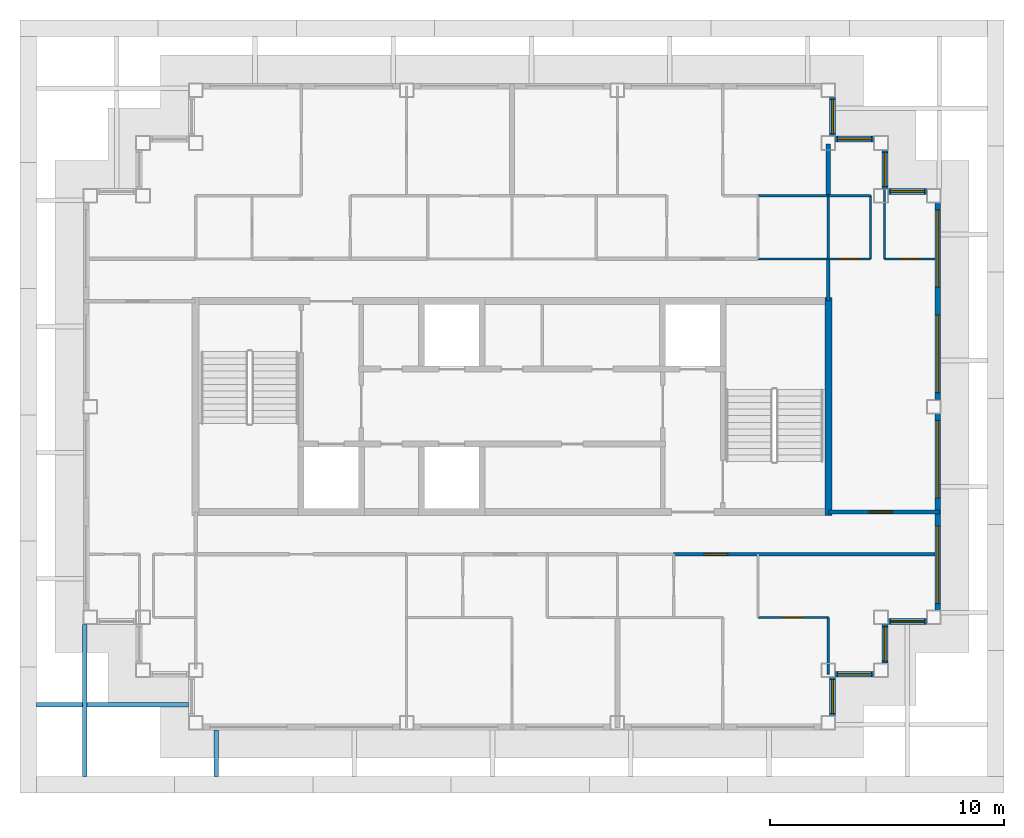
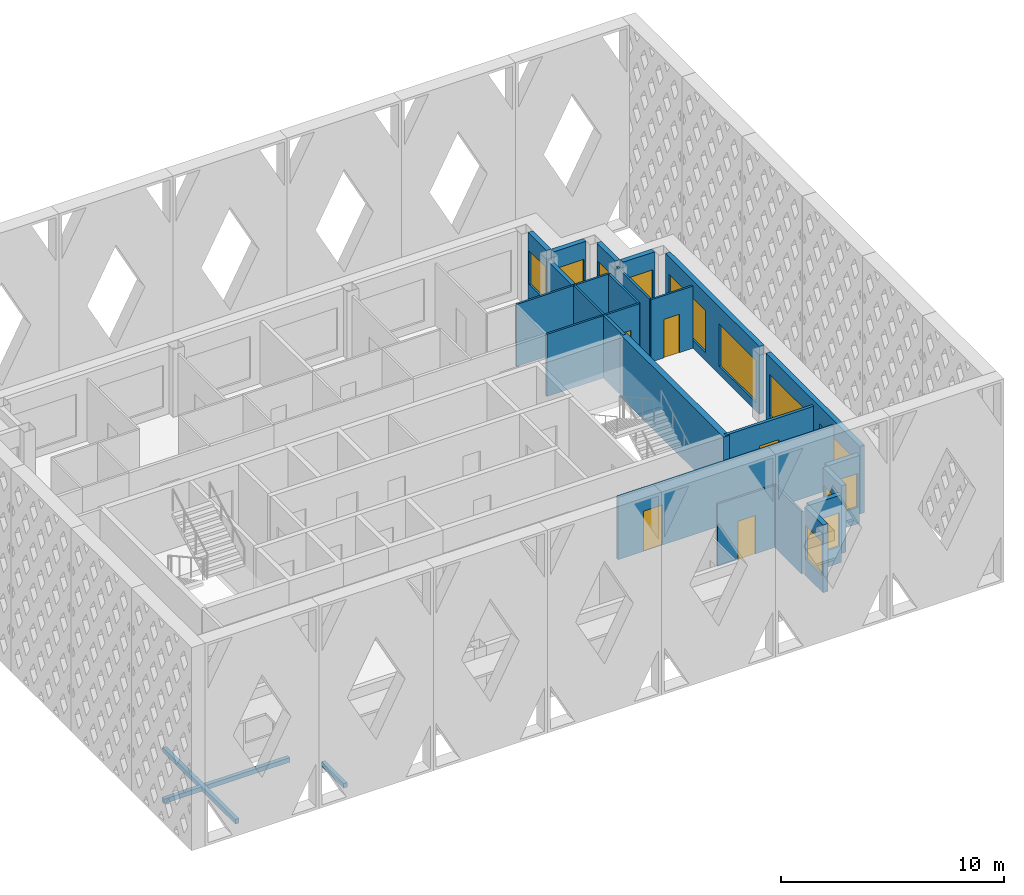
# One storey, part 5 of 13: 25 walls, 12 windows, 5 doors, 3 discrete accessories, 17 openings.
"""IFC4 building model written with IfcOpenShell, lengths in metres."""

from ifc_helpers import new_model, si_unit, direction, frame, frame_2d, origin, origin_2d, place, context, subcontext, project, spatial, rectangle, extrude, material, layer, layer_set, type_object, element, fill, save


model = new_model("IFC4")

# Units and contexts
model_context = context("Model", 3, precision=1e-05, world=origin(), true_north=direction((0.0, 1.0)))
body_context = subcontext(model_context, "Body", "Model", "MODEL_VIEW")
ifc_project = project(units=[si_unit("LENGTHUNIT", "METRE"), si_unit("AREAUNIT", "SQUARE_METRE"), si_unit("VOLUMEUNIT", "CUBIC_METRE"), si_unit("PLANEANGLEUNIT", "RADIAN"), si_unit("MASSUNIT", "GRAM", prefix="KILO")], contexts=[model_context])

# Site, building, storey
site_placement = place(None, origin())
site = spatial("IfcSite", under=ifc_project, at=site_placement, CompositionType="ELEMENT")
building_placement = place(site_placement, origin())
building = spatial("IfcBuilding", under=site, at=building_placement, Name="Caravel Reach Hotel and Residences", CompositionType="ELEMENT")
storey_placement = place(building_placement, frame((0.0, 0.0, 283.39990234375)))
storey = spatial("IfcBuildingStorey", under=building, at=storey_placement, Name="L72", CompositionType="ELEMENT", Elevation=283.39990234375)

# Wall
ifc_material_1 = material(Name="Gypsum board on steel stud", Category="steel")
ifc_layer_1 = layer(ifc_material_1, 0.10009765625)
ifc_layer_set_1 = layer_set([ifc_layer_1], Name="Bathroom pod wall 100 mm")
wall_type_1 = type_object("IfcWallType", Name="Bathroom pod wall 100 mm", PredefinedType="PARTITIONING", material=ifc_layer_set_1)
wall_1_placement = place(storey_placement, frame((42.0, 33.300048828125, 0.0), z_axis=(0.0, 0.0, 1.0), x_axis=(1.0, 0.0, 0.0)))
element("IfcWall", 1, at=wall_1_placement, inside=storey, type_object=wall_type_1, Name="L72 wall w055", PredefinedType="PARTITIONING", context=body_context, shape_type="SweptSolid", body=[
    extrude(rectangle(XDim=3.0, YDim=0.10009765625, at=frame_2d((1.5, 0.0))), origin(), (0.0, 0.0, 1.0), 3.400146484375),
])

# Wall, opening, door
wall_2_placement = place(storey_placement, frame((47.39990234375, 33.300048828125, 0.0), z_axis=(0.0, 0.0, 1.0), x_axis=(1.0, 0.0, 0.0)))
wall_2 = element("IfcWall", 2, at=wall_2_placement, inside=storey, type_object=wall_type_1, Name="L72 wall w057", PredefinedType="PARTITIONING", context=body_context, shape_type="SweptSolid", body=[
    extrude(rectangle(XDim=2.150146484375, YDim=0.10009765625, at=frame_2d((1.0751953125, 0.0))), origin(), (0.0, 0.0, 1.0), 3.400146484375),
])
opening_1_placement = place(wall_2_placement, frame((0.64990234375, 0.0, 0.0)))
opening_1 = element("IfcOpeningElement", 3, at=opening_1_placement, cuts=wall_2, Name="Opening D72-041", PredefinedType="OPENING", context=body_context, shape_type="SweptSolid", body=[
    extrude(rectangle(XDim=0.800048828125, YDim=2.10009765625, at=frame_2d((0.39990234375, 1.050048828125))), frame((0.0, 0.06005859375, 0.0), z_axis=(0.0, -1.0, 0.0), x_axis=(1.0, 0.0, 0.0)), (0.0, 0.0, 1.0), 0.1201171875),
])
ifc_material_2 = material(Name="Timber and steel door leaf", Category="steel")
door_type_1 = type_object("IfcDoorType", Name="Bathroom door 800 x 2100", OperationType="SINGLE_SWING_LEFT", PredefinedType="DOOR", material=ifc_material_2)
door_1_placement = place(opening_1_placement, origin())
door_1 = element("IfcDoor", 4, at=door_1_placement, inside=storey, type_object=door_type_1, Name="door D72-041", OperationType="SINGLE_SWING_LEFT", OverallHeight=2.10009765625, OverallWidth=0.800048828125, PredefinedType="DOOR", context=body_context, shape_type="SweptSolid", body=[
    extrude(rectangle(XDim=0.800048828125, YDim=2.10009765625, at=frame_2d((0.39990234375, 1.050048828125))), frame((0.0, 0.02490234375, 0.0), z_axis=(0.0, -1.0, 0.0), x_axis=(1.0, 0.0, 0.0)), (0.0, 0.0, 1.0), 0.050048828125),
])
fill(opening_1, door_1)

# Walls
wall_3_placement = place(storey_placement, frame((42.0, 36.0, 0.0), z_axis=(0.0, 0.0, 1.0), x_axis=(1.0, 0.0, 0.0)))
element("IfcWall", 5, at=wall_3_placement, inside=storey, type_object=wall_type_1, Name="L72 wall w060", PredefinedType="PARTITIONING", context=body_context, shape_type="SweptSolid", body=[
    extrude(rectangle(XDim=3.0, YDim=0.10009765625, at=frame_2d((1.5, 0.0))), origin(), (0.0, 0.0, 1.0), 3.400146484375),
])
wall_4_placement = place(storey_placement, frame((45.0, 33.300048828125, 0.0), z_axis=(0.0, 0.0, 1.0), x_axis=(0.0, 1.0, 0.0)))
element("IfcWall", 6, at=wall_4_placement, inside=storey, type_object=wall_type_1, Name="L72 wall w073", PredefinedType="PARTITIONING", context=body_context, shape_type="SweptSolid", body=[
    extrude(rectangle(XDim=2.699951171875, YDim=0.10009765625, at=frame_2d((1.35009765625, 0.0))), origin(), (0.0, 0.0, 1.0), 3.400146484375),
])
wall_5_placement = place(storey_placement, frame((47.39990234375, 33.300048828125, 0.0), z_axis=(0.0, 0.0, 1.0), x_axis=(0.0, 1.0, 0.0)))
element("IfcWall", 7, at=wall_5_placement, inside=storey, type_object=wall_type_1, Name="L72 wall w074", PredefinedType="PARTITIONING", context=body_context, shape_type="SweptSolid", body=[
    extrude(rectangle(XDim=3.0, YDim=0.10009765625, at=frame_2d((1.5, 0.0))), origin(), (0.0, 0.0, 1.0), 3.400146484375),
])
ifc_material_3 = material(Name="Concrete C60", Category="concrete")
ifc_layer_2 = layer(ifc_material_3, 0.300048828125)
ifc_layer_set_2 = layer_set([ifc_layer_2], Name="Core wall 300 mm EI 120")
wall_type_2 = type_object("IfcWallType", Name="Core wall 300 mm EI 120", PredefinedType="SHEAR", material=ifc_layer_set_2)
wall_6_placement = place(storey_placement, frame((45.0, 22.35009765625, 0.0), z_axis=(0.0, 0.0, 1.0), x_axis=(0.0, 1.0, 0.0)))
element("IfcWall", 8, at=wall_6_placement, inside=storey, type_object=wall_type_2, Name="L72 core wall E", PredefinedType="SHEAR", context=body_context, shape_type="SweptSolid", body=[
    extrude(rectangle(XDim=9.2998046875, YDim=0.300048828125, at=frame_2d((4.64990234375, 0.0))), origin(), (0.0, 0.0, 1.0), 3.400146484375),
])

# Wall, opening, door
ifc_material_4 = material(Name="Gypsum board on steel stud, fire-rated", Category="steel")
ifc_layer_3 = layer(ifc_material_4, 0.14990234375)
ifc_layer_set_3 = layer_set([ifc_layer_3], Name="Corridor wall 150 mm EI 60")
wall_type_3 = type_object("IfcWallType", Name="Corridor wall 150 mm EI 60", PredefinedType="PARTITIONING", material=ifc_layer_set_3)
wall_7_placement = place(storey_placement, frame((38.39990234375, 20.699951171875, 0.0), z_axis=(0.0, 0.0, 1.0), x_axis=(1.0, 0.0, 0.0)))
wall_7 = element("IfcWall", 9, at=wall_7_placement, inside=storey, type_object=wall_type_3, Name="L72 wall w004", PredefinedType="PARTITIONING", context=body_context, shape_type="SweptSolid", body=[
    extrude(rectangle(XDim=11.150146484375, YDim=0.14990234375, at=frame_2d((5.5751953125, 0.0))), origin(), (0.0, 0.0, 1.0), 3.400146484375),
])
opening_2_placement = place(wall_7_placement, frame((1.300048828125, 0.0, 0.0)))
opening_2 = element("IfcOpeningElement", 10, at=opening_2_placement, cuts=wall_7, Name="Opening D72-033", PredefinedType="OPENING", context=body_context, shape_type="SweptSolid", body=[
    extrude(rectangle(XDim=1.0, YDim=2.199951171875, at=frame_2d((0.5, 1.10009765625))), frame((0.0, 0.0849609375, 0.0), z_axis=(0.0, -1.0, 0.0), x_axis=(1.0, 0.0, 0.0)), (0.0, 0.0, 1.0), 0.169921875),
])
ifc_material_5 = material(Name="Steel fire door leaf", Category="steel")
door_type_2 = type_object("IfcDoorType", Name="Flat entrance door 1000 x 2200 EI 60", OperationType="SINGLE_SWING_LEFT", PredefinedType="DOOR", material=ifc_material_5)
door_2_placement = place(opening_2_placement, origin())
door_2 = element("IfcDoor", 11, at=door_2_placement, inside=storey, type_object=door_type_2, Name="door D72-033", OperationType="SINGLE_SWING_RIGHT", OverallHeight=2.199951171875, OverallWidth=1.0, PredefinedType="DOOR", context=body_context, shape_type="SweptSolid", body=[
    extrude(rectangle(XDim=1.0, YDim=2.199951171875, at=frame_2d((0.5, 1.10009765625))), frame((0.0, 0.02490234375, 0.0), z_axis=(0.0, -1.0, 0.0), x_axis=(1.0, 0.0, 0.0)), (0.0, 0.0, 1.0), 0.050048828125),
])
fill(opening_2, door_2)

wall_8_placement = place(storey_placement, frame((45.0, 22.5, 0.0), z_axis=(0.0, 0.0, 1.0), x_axis=(1.0, 0.0, 0.0)))
wall_8 = element("IfcWall", 12, at=wall_8_placement, inside=storey, type_object=wall_type_3, Name="L72 wall w007", PredefinedType="PARTITIONING", context=body_context, shape_type="SweptSolid", body=[
    extrude(rectangle(XDim=4.739990234375, YDim=0.14990234375, at=frame_2d((2.3701171875, 0.0))), origin(), (0.0, 0.0, 1.0), 3.400146484375),
])
opening_3_placement = place(wall_8_placement, frame((1.75, 0.0, 0.0)))
opening_3 = element("IfcOpeningElement", 13, at=opening_3_placement, cuts=wall_8, Name="Opening D72-040", PredefinedType="OPENING", context=body_context, shape_type="SweptSolid", body=[
    extrude(rectangle(XDim=1.0, YDim=2.199951171875, at=frame_2d((0.5, 1.10009765625))), frame((0.0, 0.0849609375, 0.0), z_axis=(0.0, -1.0, 0.0), x_axis=(1.0, 0.0, 0.0)), (0.0, 0.0, 1.0), 0.169921875),
])
door_3_placement = place(opening_3_placement, origin())
door_3 = element("IfcDoor", 14, at=door_3_placement, inside=storey, type_object=door_type_2, Name="door D72-040", OperationType="SINGLE_SWING_LEFT", OverallHeight=2.199951171875, OverallWidth=1.0, PredefinedType="DOOR", context=body_context, shape_type="SweptSolid", body=[
    extrude(rectangle(XDim=1.0, YDim=2.199951171875, at=frame_2d((0.5, 1.10009765625))), frame((0.0, 0.02490234375, 0.0), z_axis=(0.0, -1.0, 0.0), x_axis=(1.0, 0.0, 0.0)), (0.0, 0.0, 1.0), 0.050048828125),
])
fill(opening_3, door_3)

# Wall
wall_9_placement = place(storey_placement, frame((45.0, 31.5, 0.0), z_axis=(0.0, 0.0, 1.0), x_axis=(0.0, 1.0, 0.0)))
element("IfcWall", 15, at=wall_9_placement, inside=storey, type_object=wall_type_3, Name="L72 wall w015", PredefinedType="PARTITIONING", context=body_context, shape_type="SweptSolid", body=[
    extrude(rectangle(XDim=1.800048828125, YDim=0.14990234375, at=frame_2d((0.89990234375, 0.0))), origin(), (0.0, 0.0, 1.0), 3.400146484375),
])

# Wall, opening, window
ifc_material_6 = material(Name="Insulated rainscreen wall, aluminium cladding", Category="aluminium")
ifc_layer_4 = layer(ifc_material_6, 0.25)
ifc_layer_set_4 = layer_set([ifc_layer_4], Name="EW1 Tower rainscreen wall")
wall_type_4 = type_object("IfcWallType", Name="EW1 Tower rainscreen wall", PredefinedType="SOLIDWALL", material=ifc_layer_set_4)
wall_10_placement = place(storey_placement, frame((45.175048828125, 13.800048828125, 0.0), z_axis=(0.0, 0.0, 1.0), x_axis=(0.0, 1.0, 0.0)))
wall_10 = element("IfcWall", 16, at=wall_10_placement, inside=storey, type_object=wall_type_4, Name="External wall L72 E1.1", PredefinedType="SOLIDWALL", context=body_context, shape_type="SweptSolid", body=[
    extrude(rectangle(XDim=1.64990234375, YDim=0.25, at=frame_2d((0.824951171875, 0.0))), origin(), (0.0, 0.0, 1.0), 3.7001953125),
])
opening_4_placement = place(wall_10_placement, frame((0.10009765625, 0.0, 0.89990234375)))
opening_4 = element("IfcOpeningElement", 17, at=opening_4_placement, cuts=wall_10, Name="Opening WN25", PredefinedType="OPENING", context=body_context, shape_type="SweptSolid", body=[
    extrude(rectangle(XDim=1.449951171875, YDim=1.85009765625, at=frame_2d((0.72509765625, 0.925048828125))), frame((0.0, 0.135009765625, 0.0), z_axis=(0.0, -1.0, 0.0), x_axis=(1.0, 0.0, 0.0)), (0.0, 0.0, 1.0), 0.27001953125),
])
ifc_material_7 = material(Name="Dark low-e glazing in black aluminium frame", Category="aluminium")
window_type_1 = type_object("IfcWindowType", Name="Residence bedroom window 1450 x 1850", PartitioningType="SINGLE_PANEL", PredefinedType="WINDOW", material=ifc_material_7)
window_1_placement = place(opening_4_placement, origin())
window_1 = element("IfcWindow", 18, at=window_1_placement, inside=storey, type_object=window_type_1, Name="Window L72 E1.1.1", OverallHeight=1.85009765625, OverallWidth=1.449951171875, PartitioningType="SINGLE_PANEL", PredefinedType="WINDOW", context=body_context, shape_type="SweptSolid", body=[
    extrude(rectangle(XDim=1.449951171875, YDim=1.85009765625, at=frame_2d((0.72509765625, 0.925048828125))), frame((0.0, 0.030029296875, 0.0), z_axis=(0.0, -1.0, 0.0), x_axis=(1.0, 0.0, 0.0)), (0.0, 0.0, 1.0), 0.06005859375),
])
fill(opening_4, window_1)

wall_11_placement = place(storey_placement, frame((45.300048828125, 15.574951171875, 0.0), z_axis=(0.0, 0.0, 1.0), x_axis=(1.0, 0.0, 0.0)))
wall_11 = element("IfcWall", 19, at=wall_11_placement, inside=storey, type_object=wall_type_4, Name="External wall L72 S2.1", PredefinedType="SOLIDWALL", context=body_context, shape_type="SweptSolid", body=[
    extrude(rectangle(XDim=1.64990234375, YDim=0.25, at=frame_2d((0.824951171875, 0.0))), origin(), (0.0, 0.0, 1.0), 3.7001953125),
])
opening_5_placement = place(wall_11_placement, frame((0.10009765625, 0.0, 0.89990234375)))
opening_5 = element("IfcOpeningElement", 20, at=opening_5_placement, cuts=wall_11, Name="Opening WN25", PredefinedType="OPENING", context=body_context, shape_type="SweptSolid", body=[
    extrude(rectangle(XDim=1.449951171875, YDim=1.85009765625, at=frame_2d((0.72509765625, 0.925048828125))), frame((0.0, 0.135009765625, 0.0), z_axis=(0.0, -1.0, 0.0), x_axis=(1.0, 0.0, 0.0)), (0.0, 0.0, 1.0), 0.27001953125),
])
window_2_placement = place(opening_5_placement, origin())
window_2 = element("IfcWindow", 21, at=window_2_placement, inside=storey, type_object=window_type_1, Name="Window L72 S2.1.1", OverallHeight=1.85009765625, OverallWidth=1.449951171875, PartitioningType="SINGLE_PANEL", PredefinedType="WINDOW", context=body_context, shape_type="SweptSolid", body=[
    extrude(rectangle(XDim=1.449951171875, YDim=1.85009765625, at=frame_2d((0.72509765625, 0.925048828125))), frame((0.0, 0.030029296875, 0.0), z_axis=(0.0, -1.0, 0.0), x_axis=(1.0, 0.0, 0.0)), (0.0, 0.0, 1.0), 0.06005859375),
])
fill(opening_5, window_2)

wall_12_placement = place(storey_placement, frame((47.425048828125, 16.050048828125, 0.0), z_axis=(0.0, 0.0, 1.0), x_axis=(0.0, 1.0, 0.0)))
wall_12 = element("IfcWall", 22, at=wall_12_placement, inside=storey, type_object=wall_type_4, Name="External wall L72 E3.1", PredefinedType="SOLIDWALL", context=body_context, shape_type="SweptSolid", body=[
    extrude(rectangle(XDim=1.64990234375, YDim=0.25, at=frame_2d((0.824951171875, 0.0))), origin(), (0.0, 0.0, 1.0), 3.7001953125),
])
opening_6_placement = place(wall_12_placement, frame((0.10009765625, 0.0, 0.89990234375)))
opening_6 = element("IfcOpeningElement", 23, at=opening_6_placement, cuts=wall_12, Name="Opening WN25", PredefinedType="OPENING", context=body_context, shape_type="SweptSolid", body=[
    extrude(rectangle(XDim=1.449951171875, YDim=1.85009765625, at=frame_2d((0.72509765625, 0.925048828125))), frame((0.0, 0.135009765625, 0.0), z_axis=(0.0, -1.0, 0.0), x_axis=(1.0, 0.0, 0.0)), (0.0, 0.0, 1.0), 0.27001953125),
])
window_3_placement = place(opening_6_placement, origin())
window_3 = element("IfcWindow", 24, at=window_3_placement, inside=storey, type_object=window_type_1, Name="Window L72 E3.1.1", OverallHeight=1.85009765625, OverallWidth=1.449951171875, PartitioningType="SINGLE_PANEL", PredefinedType="WINDOW", context=body_context, shape_type="SweptSolid", body=[
    extrude(rectangle(XDim=1.449951171875, YDim=1.85009765625, at=frame_2d((0.72509765625, 0.925048828125))), frame((0.0, 0.030029296875, 0.0), z_axis=(0.0, -1.0, 0.0), x_axis=(1.0, 0.0, 0.0)), (0.0, 0.0, 1.0), 0.06005859375),
])
fill(opening_6, window_3)

wall_13_placement = place(storey_placement, frame((47.550048828125, 17.824951171875, 0.0), z_axis=(0.0, 0.0, 1.0), x_axis=(1.0, 0.0, 0.0)))
wall_13 = element("IfcWall", 25, at=wall_13_placement, inside=storey, type_object=wall_type_4, Name="External wall L72 S4.1", PredefinedType="SOLIDWALL", context=body_context, shape_type="SweptSolid", body=[
    extrude(rectangle(XDim=1.64990234375, YDim=0.25, at=frame_2d((0.824951171875, 0.0))), origin(), (0.0, 0.0, 1.0), 3.7001953125),
])
opening_7_placement = place(wall_13_placement, frame((0.10009765625, 0.0, 0.89990234375)))
opening_7 = element("IfcOpeningElement", 26, at=opening_7_placement, cuts=wall_13, Name="Opening WN25", PredefinedType="OPENING", context=body_context, shape_type="SweptSolid", body=[
    extrude(rectangle(XDim=1.449951171875, YDim=1.85009765625, at=frame_2d((0.72509765625, 0.925048828125))), frame((0.0, 0.135009765625, 0.0), z_axis=(0.0, -1.0, 0.0), x_axis=(1.0, 0.0, 0.0)), (0.0, 0.0, 1.0), 0.27001953125),
])
window_4_placement = place(opening_7_placement, origin())
window_4 = element("IfcWindow", 27, at=window_4_placement, inside=storey, type_object=window_type_1, Name="Window L72 S4.1.1", OverallHeight=1.85009765625, OverallWidth=1.449951171875, PartitioningType="SINGLE_PANEL", PredefinedType="WINDOW", context=body_context, shape_type="SweptSolid", body=[
    extrude(rectangle(XDim=1.449951171875, YDim=1.85009765625, at=frame_2d((0.72509765625, 0.925048828125))), frame((0.0, 0.030029296875, 0.0), z_axis=(0.0, -1.0, 0.0), x_axis=(1.0, 0.0, 0.0)), (0.0, 0.0, 1.0), 0.06005859375),
])
fill(opening_7, window_4)

# Wall, openings, windows
wall_14_placement = place(storey_placement, frame((49.675048828125, 18.300048828125, 0.0), z_axis=(0.0, 0.0, 1.0), x_axis=(0.0, 1.0, 0.0)))
wall_14 = element("IfcWall", 28, at=wall_14_placement, inside=storey, type_object=wall_type_4, Name="External wall L72 E5.1", PredefinedType="SOLIDWALL", context=body_context, shape_type="SweptSolid", body=[
    extrude(rectangle(XDim=8.39990234375, YDim=0.25, at=frame_2d((4.199951171875, 0.0))), origin(), (0.0, 0.0, 1.0), 3.7001953125),
])
opening_8_placement = place(wall_14_placement, frame((0.300048828125, 0.0, 0.449951171875)))
opening_8 = element("IfcOpeningElement", 29, at=opening_8_placement, cuts=wall_14, Name="Opening WN15", PredefinedType="OPENING", context=body_context, shape_type="SweptSolid", body=[
    extrude(rectangle(XDim=3.300048828125, YDim=2.300048828125, at=frame_2d((1.64990234375, 1.14990234375))), frame((0.0, 0.135009765625, 0.0), z_axis=(0.0, -1.0, 0.0), x_axis=(1.0, 0.0, 0.0)), (0.0, 0.0, 1.0), 0.27001953125),
])
opening_9_placement = place(wall_14_placement, frame((4.800048828125, 0.0, 0.449951171875)))
opening_9 = element("IfcOpeningElement", 30, at=opening_9_placement, cuts=wall_14, Name="Opening WN15", PredefinedType="OPENING", context=body_context, shape_type="SweptSolid", body=[
    extrude(rectangle(XDim=3.300048828125, YDim=2.300048828125, at=frame_2d((1.64990234375, 1.14990234375))), frame((0.0, 0.135009765625, 0.0), z_axis=(0.0, -1.0, 0.0), x_axis=(1.0, 0.0, 0.0)), (0.0, 0.0, 1.0), 0.27001953125),
])
ifc_material_8 = material(Name="Dark low-e glazing in black aluminium frame", Category="aluminium")
window_type_2 = type_object("IfcWindowType", Name="Residence living window 3300 x 2300", PartitioningType="SINGLE_PANEL", PredefinedType="WINDOW", material=ifc_material_8)
window_5_placement = place(opening_8_placement, origin())
window_5 = element("IfcWindow", 31, at=window_5_placement, inside=storey, type_object=window_type_2, Name="Window L72 E5.1.1", OverallHeight=2.300048828125, OverallWidth=3.300048828125, PartitioningType="SINGLE_PANEL", PredefinedType="WINDOW", context=body_context, shape_type="SweptSolid", body=[
    extrude(rectangle(XDim=3.300048828125, YDim=2.300048828125, at=frame_2d((1.64990234375, 1.14990234375))), frame((0.0, 0.030029296875, 0.0), z_axis=(0.0, -1.0, 0.0), x_axis=(1.0, 0.0, 0.0)), (0.0, 0.0, 1.0), 0.06005859375),
])
fill(opening_8, window_5)
window_6_placement = place(opening_9_placement, origin())
window_6 = element("IfcWindow", 32, at=window_6_placement, inside=storey, type_object=window_type_2, Name="Window L72 E5.1.2", OverallHeight=2.300048828125, OverallWidth=3.300048828125, PartitioningType="SINGLE_PANEL", PredefinedType="WINDOW", context=body_context, shape_type="SweptSolid", body=[
    extrude(rectangle(XDim=3.300048828125, YDim=2.300048828125, at=frame_2d((1.64990234375, 1.14990234375))), frame((0.0, 0.030029296875, 0.0), z_axis=(0.0, -1.0, 0.0), x_axis=(1.0, 0.0, 0.0)), (0.0, 0.0, 1.0), 0.06005859375),
])
fill(opening_9, window_6)

wall_15_placement = place(storey_placement, frame((49.675048828125, 27.300048828125, 0.0), z_axis=(0.0, 0.0, 1.0), x_axis=(0.0, 1.0, 0.0)))
wall_15 = element("IfcWall", 33, at=wall_15_placement, inside=storey, type_object=wall_type_4, Name="External wall L72 E5.2", PredefinedType="SOLIDWALL", context=body_context, shape_type="SweptSolid", body=[
    extrude(rectangle(XDim=8.39990234375, YDim=0.25, at=frame_2d((4.199951171875, 0.0))), origin(), (0.0, 0.0, 1.0), 3.7001953125),
])
opening_10_placement = place(wall_15_placement, frame((0.300048828125, 0.0, 0.449951171875)))
opening_10 = element("IfcOpeningElement", 34, at=opening_10_placement, cuts=wall_15, Name="Opening WN15", PredefinedType="OPENING", context=body_context, shape_type="SweptSolid", body=[
    extrude(rectangle(XDim=3.300048828125, YDim=2.300048828125, at=frame_2d((1.64990234375, 1.14990234375))), frame((0.0, 0.135009765625, 0.0), z_axis=(0.0, -1.0, 0.0), x_axis=(1.0, 0.0, 0.0)), (0.0, 0.0, 1.0), 0.27001953125),
])
opening_11_placement = place(wall_15_placement, frame((4.800048828125, 0.0, 0.449951171875)))
opening_11 = element("IfcOpeningElement", 35, at=opening_11_placement, cuts=wall_15, Name="Opening WN15", PredefinedType="OPENING", context=body_context, shape_type="SweptSolid", body=[
    extrude(rectangle(XDim=3.300048828125, YDim=2.300048828125, at=frame_2d((1.64990234375, 1.14990234375))), frame((0.0, 0.135009765625, 0.0), z_axis=(0.0, -1.0, 0.0), x_axis=(1.0, 0.0, 0.0)), (0.0, 0.0, 1.0), 0.27001953125),
])
window_7_placement = place(opening_10_placement, origin())
window_7 = element("IfcWindow", 36, at=window_7_placement, inside=storey, type_object=window_type_2, Name="Window L72 E5.2.1", OverallHeight=2.300048828125, OverallWidth=3.300048828125, PartitioningType="SINGLE_PANEL", PredefinedType="WINDOW", context=body_context, shape_type="SweptSolid", body=[
    extrude(rectangle(XDim=3.300048828125, YDim=2.300048828125, at=frame_2d((1.64990234375, 1.14990234375))), frame((0.0, 0.030029296875, 0.0), z_axis=(0.0, -1.0, 0.0), x_axis=(1.0, 0.0, 0.0)), (0.0, 0.0, 1.0), 0.06005859375),
])
fill(opening_10, window_7)
window_8_placement = place(opening_11_placement, origin())
window_8 = element("IfcWindow", 37, at=window_8_placement, inside=storey, type_object=window_type_2, Name="Window L72 E5.2.2", OverallHeight=2.300048828125, OverallWidth=3.300048828125, PartitioningType="SINGLE_PANEL", PredefinedType="WINDOW", context=body_context, shape_type="SweptSolid", body=[
    extrude(rectangle(XDim=3.300048828125, YDim=2.300048828125, at=frame_2d((1.64990234375, 1.14990234375))), frame((0.0, 0.030029296875, 0.0), z_axis=(0.0, -1.0, 0.0), x_axis=(1.0, 0.0, 0.0)), (0.0, 0.0, 1.0), 0.06005859375),
])
fill(opening_11, window_8)

# Wall, opening, window
wall_16_placement = place(storey_placement, frame((49.199951171875, 36.175048828125, 0.0), z_axis=(0.0, 0.0, 1.0), x_axis=(-1.0, 0.0, 0.0)))
wall_16 = element("IfcWall", 38, at=wall_16_placement, inside=storey, type_object=wall_type_4, Name="External wall L72 N6.1", PredefinedType="SOLIDWALL", context=body_context, shape_type="SweptSolid", body=[
    extrude(rectangle(XDim=1.64990234375, YDim=0.25, at=frame_2d((0.824951171875, 0.0))), origin(), (0.0, 0.0, 1.0), 3.7001953125),
])
opening_12_placement = place(wall_16_placement, frame((0.10009765625, 0.0, 0.89990234375)))
opening_12 = element("IfcOpeningElement", 39, at=opening_12_placement, cuts=wall_16, Name="Opening WN25", PredefinedType="OPENING", context=body_context, shape_type="SweptSolid", body=[
    extrude(rectangle(XDim=1.449951171875, YDim=1.85009765625, at=frame_2d((0.72509765625, 0.925048828125))), frame((0.0, 0.135009765625, 0.0), z_axis=(0.0, -1.0, 0.0), x_axis=(1.0, 0.0, 0.0)), (0.0, 0.0, 1.0), 0.27001953125),
])
window_9_placement = place(opening_12_placement, origin())
window_9 = element("IfcWindow", 40, at=window_9_placement, inside=storey, type_object=window_type_1, Name="Window L72 N6.1.1", OverallHeight=1.85009765625, OverallWidth=1.449951171875, PartitioningType="SINGLE_PANEL", PredefinedType="WINDOW", context=body_context, shape_type="SweptSolid", body=[
    extrude(rectangle(XDim=1.449951171875, YDim=1.85009765625, at=frame_2d((0.72509765625, 0.925048828125))), frame((0.0, 0.030029296875, 0.0), z_axis=(0.0, -1.0, 0.0), x_axis=(1.0, 0.0, 0.0)), (0.0, 0.0, 1.0), 0.06005859375),
])
fill(opening_12, window_9)

wall_17_placement = place(storey_placement, frame((47.425048828125, 36.300048828125, 0.0), z_axis=(0.0, 0.0, 1.0), x_axis=(0.0, 1.0, 0.0)))
wall_17 = element("IfcWall", 41, at=wall_17_placement, inside=storey, type_object=wall_type_4, Name="External wall L72 E7.1", PredefinedType="SOLIDWALL", context=body_context, shape_type="SweptSolid", body=[
    extrude(rectangle(XDim=1.64990234375, YDim=0.25, at=frame_2d((0.824951171875, 0.0))), origin(), (0.0, 0.0, 1.0), 3.7001953125),
])
opening_13_placement = place(wall_17_placement, frame((0.10009765625, 0.0, 0.89990234375)))
opening_13 = element("IfcOpeningElement", 42, at=opening_13_placement, cuts=wall_17, Name="Opening WN25", PredefinedType="OPENING", context=body_context, shape_type="SweptSolid", body=[
    extrude(rectangle(XDim=1.449951171875, YDim=1.85009765625, at=frame_2d((0.72509765625, 0.925048828125))), frame((0.0, 0.135009765625, 0.0), z_axis=(0.0, -1.0, 0.0), x_axis=(1.0, 0.0, 0.0)), (0.0, 0.0, 1.0), 0.27001953125),
])
window_10_placement = place(opening_13_placement, origin())
window_10 = element("IfcWindow", 43, at=window_10_placement, inside=storey, type_object=window_type_1, Name="Window L72 E7.1.1", OverallHeight=1.85009765625, OverallWidth=1.449951171875, PartitioningType="SINGLE_PANEL", PredefinedType="WINDOW", context=body_context, shape_type="SweptSolid", body=[
    extrude(rectangle(XDim=1.449951171875, YDim=1.85009765625, at=frame_2d((0.72509765625, 0.925048828125))), frame((0.0, 0.030029296875, 0.0), z_axis=(0.0, -1.0, 0.0), x_axis=(1.0, 0.0, 0.0)), (0.0, 0.0, 1.0), 0.06005859375),
])
fill(opening_13, window_10)

wall_18_placement = place(storey_placement, frame((46.949951171875, 38.425048828125, 0.0), z_axis=(0.0, 0.0, 1.0), x_axis=(-1.0, 0.0, 0.0)))
wall_18 = element("IfcWall", 44, at=wall_18_placement, inside=storey, type_object=wall_type_4, Name="External wall L72 N8.1", PredefinedType="SOLIDWALL", context=body_context, shape_type="SweptSolid", body=[
    extrude(rectangle(XDim=1.64990234375, YDim=0.25, at=frame_2d((0.824951171875, 0.0))), origin(), (0.0, 0.0, 1.0), 3.7001953125),
])
opening_14_placement = place(wall_18_placement, frame((0.10009765625, 0.0, 0.89990234375)))
opening_14 = element("IfcOpeningElement", 45, at=opening_14_placement, cuts=wall_18, Name="Opening WN25", PredefinedType="OPENING", context=body_context, shape_type="SweptSolid", body=[
    extrude(rectangle(XDim=1.449951171875, YDim=1.85009765625, at=frame_2d((0.72509765625, 0.925048828125))), frame((0.0, 0.135009765625, 0.0), z_axis=(0.0, -1.0, 0.0), x_axis=(1.0, 0.0, 0.0)), (0.0, 0.0, 1.0), 0.27001953125),
])
window_11_placement = place(opening_14_placement, origin())
window_11 = element("IfcWindow", 46, at=window_11_placement, inside=storey, type_object=window_type_1, Name="Window L72 N8.1.1", OverallHeight=1.85009765625, OverallWidth=1.449951171875, PartitioningType="SINGLE_PANEL", PredefinedType="WINDOW", context=body_context, shape_type="SweptSolid", body=[
    extrude(rectangle(XDim=1.449951171875, YDim=1.85009765625, at=frame_2d((0.72509765625, 0.925048828125))), frame((0.0, 0.030029296875, 0.0), z_axis=(0.0, -1.0, 0.0), x_axis=(1.0, 0.0, 0.0)), (0.0, 0.0, 1.0), 0.06005859375),
])
fill(opening_14, window_11)

wall_19_placement = place(storey_placement, frame((45.175048828125, 38.550048828125, 0.0), z_axis=(0.0, 0.0, 1.0), x_axis=(0.0, 1.0, 0.0)))
wall_19 = element("IfcWall", 47, at=wall_19_placement, inside=storey, type_object=wall_type_4, Name="External wall L72 E9.1", PredefinedType="SOLIDWALL", context=body_context, shape_type="SweptSolid", body=[
    extrude(rectangle(XDim=1.64990234375, YDim=0.25, at=frame_2d((0.824951171875, 0.0))), origin(), (0.0, 0.0, 1.0), 3.7001953125),
])
opening_15_placement = place(wall_19_placement, frame((0.10009765625, 0.0, 0.89990234375)))
opening_15 = element("IfcOpeningElement", 48, at=opening_15_placement, cuts=wall_19, Name="Opening WN25", PredefinedType="OPENING", context=body_context, shape_type="SweptSolid", body=[
    extrude(rectangle(XDim=1.449951171875, YDim=1.85009765625, at=frame_2d((0.72509765625, 0.925048828125))), frame((0.0, 0.135009765625, 0.0), z_axis=(0.0, -1.0, 0.0), x_axis=(1.0, 0.0, 0.0)), (0.0, 0.0, 1.0), 0.27001953125),
])
window_12_placement = place(opening_15_placement, origin())
window_12 = element("IfcWindow", 49, at=window_12_placement, inside=storey, type_object=window_type_1, Name="Window L72 E9.1.1", OverallHeight=1.85009765625, OverallWidth=1.449951171875, PartitioningType="SINGLE_PANEL", PredefinedType="WINDOW", context=body_context, shape_type="SweptSolid", body=[
    extrude(rectangle(XDim=1.449951171875, YDim=1.85009765625, at=frame_2d((0.72509765625, 0.925048828125))), frame((0.0, 0.030029296875, 0.0), z_axis=(0.0, -1.0, 0.0), x_axis=(1.0, 0.0, 0.0)), (0.0, 0.0, 1.0), 0.06005859375),
])
fill(opening_15, window_12)

# Wall, opening, door
ifc_material_9 = material(Name="Gypsum board on steel stud", Category="steel")
ifc_layer_5 = layer(ifc_material_9, 0.10009765625)
ifc_layer_set_5 = layer_set([ifc_layer_5], Name="Partition 100 mm")
wall_type_5 = type_object("IfcWallType", Name="Partition 100 mm", PredefinedType="PARTITIONING", material=ifc_layer_set_5)
wall_20_placement = place(storey_placement, frame((42.0, 18.0, 0.0), z_axis=(0.0, 0.0, 1.0), x_axis=(1.0, 0.0, 0.0)))
wall_20 = element("IfcWall", 50, at=wall_20_placement, inside=storey, type_object=wall_type_5, Name="L72 wall w019", PredefinedType="PARTITIONING", context=body_context, shape_type="SweptSolid", body=[
    extrude(rectangle(XDim=3.0, YDim=0.10009765625, at=frame_2d((1.5, 0.0))), origin(), (0.0, 0.0, 1.0), 3.400146484375),
])
opening_16_placement = place(wall_20_placement, frame((1.050048828125, 0.0, 0.0)))
opening_16 = element("IfcOpeningElement", 51, at=opening_16_placement, cuts=wall_20, Name="Opening D72-035", PredefinedType="OPENING", context=body_context, shape_type="SweptSolid", body=[
    extrude(rectangle(XDim=0.89990234375, YDim=2.10009765625, at=frame_2d((0.449951171875, 1.050048828125))), frame((0.0, 0.06005859375, 0.0), z_axis=(0.0, -1.0, 0.0), x_axis=(1.0, 0.0, 0.0)), (0.0, 0.0, 1.0), 0.1201171875),
])
ifc_material_10 = material(Name="Timber and steel door leaf", Category="steel")
door_type_3 = type_object("IfcDoorType", Name="Door 900 x 2100 timber", OperationType="SINGLE_SWING_LEFT", PredefinedType="DOOR", material=ifc_material_10)
door_4_placement = place(opening_16_placement, origin())
door_4 = element("IfcDoor", 52, at=door_4_placement, inside=storey, type_object=door_type_3, Name="door D72-035", OperationType="SINGLE_SWING_RIGHT", OverallHeight=2.10009765625, OverallWidth=0.89990234375, PredefinedType="DOOR", context=body_context, shape_type="SweptSolid", body=[
    extrude(rectangle(XDim=0.89990234375, YDim=2.10009765625, at=frame_2d((0.449951171875, 1.050048828125))), frame((0.0, 0.02490234375, 0.0), z_axis=(0.0, -1.0, 0.0), x_axis=(1.0, 0.0, 0.0)), (0.0, 0.0, 1.0), 0.050048828125),
])
fill(opening_16, door_4)

wall_21_placement = place(storey_placement, frame((45.0, 33.300048828125, 0.0), z_axis=(0.0, 0.0, 1.0), x_axis=(1.0, 0.0, 0.0)))
wall_21 = element("IfcWall", 53, at=wall_21_placement, inside=storey, type_object=wall_type_5, Name="L72 wall w022", PredefinedType="PARTITIONING", context=body_context, shape_type="SweptSolid", body=[
    extrude(rectangle(XDim=1.800048828125, YDim=0.10009765625, at=frame_2d((0.89990234375, 0.0))), origin(), (0.0, 0.0, 1.0), 3.400146484375),
])
opening_17_placement = place(wall_21_placement, frame((0.449951171875, 0.0, 0.0)))
opening_17 = element("IfcOpeningElement", 54, at=opening_17_placement, cuts=wall_21, Name="Opening D72-042", PredefinedType="OPENING", context=body_context, shape_type="SweptSolid", body=[
    extrude(rectangle(XDim=0.89990234375, YDim=2.10009765625, at=frame_2d((0.449951171875, 1.050048828125))), frame((0.0, 0.06005859375, 0.0), z_axis=(0.0, -1.0, 0.0), x_axis=(1.0, 0.0, 0.0)), (0.0, 0.0, 1.0), 0.1201171875),
])
door_5_placement = place(opening_17_placement, origin())
door_5 = element("IfcDoor", 55, at=door_5_placement, inside=storey, type_object=door_type_3, Name="door D72-042", OperationType="SINGLE_SWING_LEFT", OverallHeight=2.10009765625, OverallWidth=0.89990234375, PredefinedType="DOOR", context=body_context, shape_type="SweptSolid", body=[
    extrude(rectangle(XDim=0.89990234375, YDim=2.10009765625, at=frame_2d((0.449951171875, 1.050048828125))), frame((0.0, 0.02490234375, 0.0), z_axis=(0.0, -1.0, 0.0), x_axis=(1.0, 0.0, 0.0)), (0.0, 0.0, 1.0), 0.050048828125),
])
fill(opening_17, door_5)

# Walls
wall_22_placement = place(storey_placement, frame((45.0, 36.0, 0.0), z_axis=(0.0, 0.0, 1.0), x_axis=(1.0, 0.0, 0.0)))
element("IfcWall", 56, at=wall_22_placement, inside=storey, type_object=wall_type_5, Name="L72 wall w029", PredefinedType="PARTITIONING", context=body_context, shape_type="SweptSolid", body=[
    extrude(rectangle(XDim=1.800048828125, YDim=0.10009765625, at=frame_2d((0.89990234375, 0.0))), origin(), (0.0, 0.0, 1.0), 3.400146484375),
])
wall_23_placement = place(storey_placement, frame((45.0, 15.56005859375, 0.0), z_axis=(0.0, 0.0, 1.0), x_axis=(0.0, 1.0, 0.0)))
element("IfcWall", 57, at=wall_23_placement, inside=storey, type_object=wall_type_5, Name="L72 wall w043", PredefinedType="PARTITIONING", context=body_context, shape_type="SweptSolid", body=[
    extrude(rectangle(XDim=2.43994140625, YDim=0.10009765625, at=frame_2d((1.219970703125, 0.0))), origin(), (0.0, 0.0, 1.0), 3.400146484375),
])
wall_24_placement = place(storey_placement, frame((46.800048828125, 33.300048828125, 0.0), z_axis=(0.0, 0.0, 1.0), x_axis=(0.0, 1.0, 0.0)))
element("IfcWall", 58, at=wall_24_placement, inside=storey, type_object=wall_type_5, Name="L72 wall w044", PredefinedType="PARTITIONING", context=body_context, shape_type="SweptSolid", body=[
    extrude(rectangle(XDim=2.699951171875, YDim=0.10009765625, at=frame_2d((1.35009765625, 0.0))), origin(), (0.0, 0.0, 1.0), 3.400146484375),
])
ifc_material_11 = material(Name="Autoclaved aerated block wall")
ifc_layer_6 = layer(ifc_material_11, 0.199951171875)
ifc_layer_set_6 = layer_set([ifc_layer_6], Name="Party wall 200 mm EI 60")
wall_type_6 = type_object("IfcWallType", Name="Party wall 200 mm EI 60", PredefinedType="PARTITIONING", material=ifc_layer_set_6)
wall_25_placement = place(storey_placement, frame((45.0, 36.0, 0.0), z_axis=(0.0, 0.0, 1.0), x_axis=(0.0, 1.0, 0.0)))
element("IfcWall", 59, at=wall_25_placement, inside=storey, type_object=wall_type_6, Name="L72 wall w047", PredefinedType="PARTITIONING", context=body_context, shape_type="SweptSolid", body=[
    extrude(rectangle(XDim=2.199951171875, YDim=0.199951171875, at=frame_2d((1.10009765625, 0.0))), origin(), (0.0, 0.0, 1.0), 3.400146484375),
])

# Discrete accessories
ifc_material_12 = material(Name="Black powder-coated aluminium", Category="aluminium")
discrete_accessory_type = type_object("IfcDiscreteAccessoryType", Name="BR1 Screen bracket", PredefinedType="BRACKET", material=ifc_material_12)
for number, where, z_axis, x_axis, name in (
    (60, (14.449951171875, 14.268310546875, 0.10009765625), (0.0, 0.0, 1.0), (-1.0, 0.0, 0.0), "Screen bracket L72 3.6.1"),
    (61, (13.27001953125, 14.449951171875, 0.10009765625), (0.0, 0.0, 1.0), (0.0, -1.0, 0.0), "Screen bracket L72 4.1.1"),
):
    element("IfcDiscreteAccessory", number, at=place(storey_placement, frame(where, z_axis=z_axis, x_axis=x_axis)), inside=storey, type_object=discrete_accessory_type, Name=name, PredefinedType="BRACKET", context=body_context, shape_type="SweptSolid", body=[
        extrude(rectangle(XDim=6.5, YDim=0.199951171875, at=origin_2d()), origin(), (0.0, 0.0, 1.0), 0.25),
    ])
discrete_accessory_placement = place(storey_placement, frame((18.8701171875, 12.199951171875, 0.10009765625), z_axis=(0.0, 0.0, 1.0), x_axis=(0.0, -1.0, 0.0)))
element("IfcDiscreteAccessory", 62, at=discrete_accessory_placement, inside=storey, type_object=discrete_accessory_type, Name="Screen bracket L72 4.2.1", PredefinedType="BRACKET", context=body_context, shape_type="SweptSolid", body=[
    extrude(rectangle(XDim=2.0, YDim=0.199951171875, at=origin_2d()), origin(), (0.0, 0.0, 1.0), 0.25),
])

save(model, "model.ifc")
